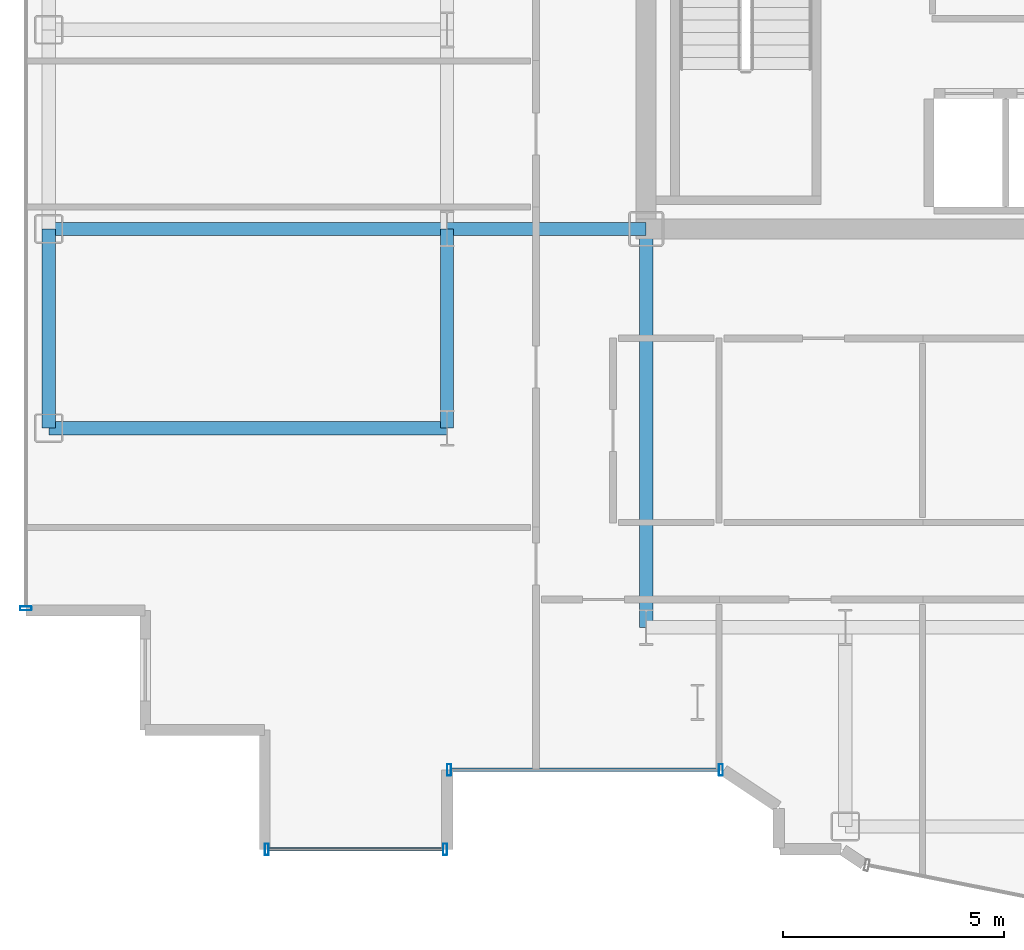
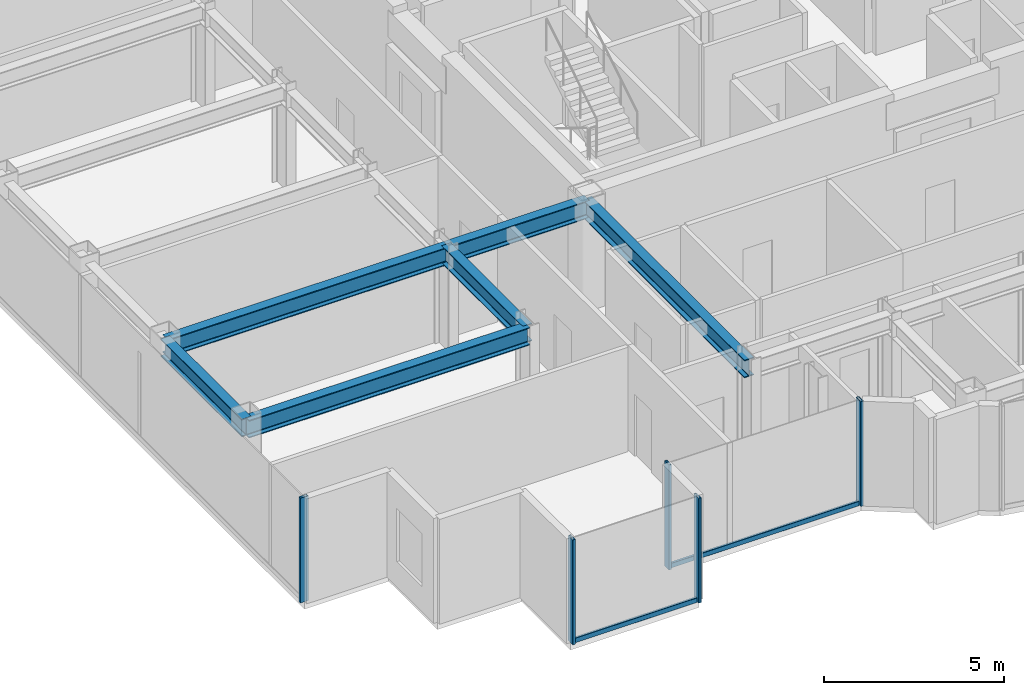
# One storey, part 2 of 20: 7 members, 6 beams, 3 elements without a shape of their own.
"""IFC4 building model written with IfcOpenShell, lengths in metres."""

from ifc_helpers import new_model, si_unit, direction, frame, origin, origin_2d, place, context, subcontext, project, spatial, hollow_rectangle, i_section, extrude, source, transform, mapped, material, layer, layer_set, material_profile, profile_set, type_object, element, aggregate, save


model = new_model("IFC4")

# Units and contexts
model_context = context("Model", 3, precision=1e-05, world=origin(), true_north=direction((0.0, 1.0)))
body_context = subcontext(model_context, "Body", "Model", "MODEL_VIEW")
ifc_project = project(units=[si_unit("LENGTHUNIT", "METRE"), si_unit("AREAUNIT", "SQUARE_METRE"), si_unit("VOLUMEUNIT", "CUBIC_METRE"), si_unit("PLANEANGLEUNIT", "RADIAN"), si_unit("MASSUNIT", "GRAM", prefix="KILO")], contexts=[model_context])

# Site, building, storey
site_placement = place(None, origin())
site = spatial("IfcSite", under=ifc_project, at=site_placement, CompositionType="ELEMENT")
building_placement = place(site_placement, origin())
building = spatial("IfcBuilding", under=site, at=building_placement, Name="Nefas-Gora Pilgrimage Tower", CompositionType="ELEMENT")
storey_placement = place(building_placement, frame((0.0, 0.0, 237.0)))
storey = spatial("IfcBuildingStorey", under=building, at=storey_placement, Name="L59", CompositionType="ELEMENT", Elevation=237.0)

# Beams
ifc_material_1 = material(Name="Steel S355", Category="steel")
ifc_material_profile_1 = material_profile(ifc_material_1, i_section(OverallWidth=0.300048828125, OverallDepth=0.60009765625, WebThickness=0.015380859375, FlangeThickness=0.030029296875, FilletRadius=0.027099609375, at=origin_2d()), Name="HEB 600")
ifc_profile_set_1 = profile_set([ifc_material_profile_1], Name="Steel S355")
beam_type_1 = type_object("IfcBeamType", Name="BM-SPN-HEB450", PredefinedType="SPANDREL", material=ifc_profile_set_1)
shared_shape_1 = source(origin(), body_context, "Body", "SweptSolid", [
    extrude(i_section(OverallWidth=0.300048828125, OverallDepth=0.60009765625, WebThickness=0.015380859375, FlangeThickness=0.030029296875, FilletRadius=0.027099609375, at=origin_2d()), origin(), (0.0, 0.0, 1.0), 4.5),
])
beam_placement = place(storey_placement, frame((-24.75, -13.5, 3.25), z_axis=(0.0, 1.0, 0.0), x_axis=(-1.0, 0.0, 0.0)))
element("IfcBeam", 1, at=beam_placement, inside=storey, type_object=beam_type_1, Name="L59 SP-03 beam", PredefinedType="SPANDREL", context=body_context, shape_type="MappedRepresentation", body=[
    mapped(shared_shape_1, transform((0.0, 0.0, 0.0), x_axis=(1.0, 0.0, 0.0), y_axis=(0.0, 1.0, 0.0), z_axis=(0.0, 0.0, 1.0), scale=1.0)),
])
ifc_material_profile_2 = material_profile(ifc_material_1, i_section(OverallWidth=0.300048828125, OverallDepth=0.60009765625, WebThickness=0.015380859375, FlangeThickness=0.030029296875, FilletRadius=0.027099609375, at=origin_2d()), Name="HEB 600")
ifc_profile_set_2 = profile_set([ifc_material_profile_2], Name="Steel S355")
beam_type_2 = type_object("IfcBeamType", Name="BM-GIR-HEB600", PredefinedType="BEAM", material=ifc_profile_set_2)
shared_shape_2 = source(origin(), body_context, "Body", "SweptSolid", [
    extrude(i_section(OverallWidth=0.300048828125, OverallDepth=0.60009765625, WebThickness=0.015380859375, FlangeThickness=0.030029296875, FilletRadius=0.027099609375, at=origin_2d()), origin(), (0.0, 0.0, 1.0), 9.0),
])
for number, where, z_axis, x_axis, name in (
    (2, (-24.75, -13.5, 3.25), (1.0, 0.0, 0.0), (0.0, 1.0, 0.0), "L59 G-04 beam"),
    (3, (-24.75, -9.0, 3.25), (1.0, 0.0, 0.0), (0.0, 1.0, 0.0), "L59 G-04 beam"),
    (4, (-11.25, -18.0, 3.25), (0.0, 1.0, 0.0), (-1.0, 0.0, 0.0), "L59 G-04 beam"),
):
    element("IfcBeam", number, at=place(storey_placement, frame(where, z_axis=z_axis, x_axis=x_axis)), inside=storey, type_object=beam_type_2, Name=name, PredefinedType="BEAM", context=body_context, shape_type="MappedRepresentation", body=[
        mapped(shared_shape_2, transform((0.0, 0.0, 0.0), x_axis=(1.0, 0.0, 0.0), y_axis=(0.0, 1.0, 0.0), z_axis=(0.0, 0.0, 1.0), scale=1.0)),
    ])
shared_shape_3 = source(origin(), body_context, "Body", "SweptSolid", [
    extrude(i_section(OverallWidth=0.300048828125, OverallDepth=0.60009765625, WebThickness=0.015380859375, FlangeThickness=0.030029296875, FilletRadius=0.027099609375, at=origin_2d()), origin(), (0.0, 0.0, 1.0), 4.5),
])
for number, where, z_axis, x_axis, name in (
    (5, (-15.75, -13.5, 3.25), (0.0, 1.0, 0.0), (-1.0, 0.0, 0.0), "L59 G-04 beam"),
    (6, (-15.75, -9.0, 3.25), (1.0, 0.0, 0.0), (0.0, 1.0, 0.0), "L59 G-04 beam"),
):
    element("IfcBeam", number, at=place(storey_placement, frame(where, z_axis=z_axis, x_axis=x_axis)), inside=storey, type_object=beam_type_2, Name=name, PredefinedType="BEAM", context=body_context, shape_type="MappedRepresentation", body=[
        mapped(shared_shape_3, transform((0.0, 0.0, 0.0), x_axis=(1.0, 0.0, 0.0), y_axis=(0.0, 1.0, 0.0), z_axis=(0.0, 0.0, 1.0), scale=1.0)),
    ])

# Curtain wall, members
ifc_material_2 = material(Name="Dark ceramic-fritted solar-control aluminium-glass curtain wall", Category="aluminium")
ifc_layer_1 = layer(ifc_material_2, 0.219970703125)
ifc_layer_set_1 = layer_set([ifc_layer_1], Name="Dark ceramic-fritted solar-control aluminium-glass curtain wall")
curtain_wall_type_1 = type_object("IfcCurtainWallType", Name="CW-SYS-5", PredefinedType="NOTDEFINED", material=ifc_layer_set_1)
curtain_wall_1_placement = place(storey_placement, origin())
curtain_wall_1 = element("IfcCurtainWall", 7, at=curtain_wall_1_placement, inside=storey, type_object=curtain_wall_type_1, Name="L59 Unitised Curtain Wall CW5", PredefinedType="NOTDEFINED")
ifc_material_3 = material(Name="Anodised architectural aluminium", Category="aluminium")
ifc_material_profile_3 = material_profile(ifc_material_3, hollow_rectangle(XDim=0.090087890625, YDim=0.260009765625, WallThickness=0.006103515625, InnerFilletRadius=0.006103515625, OuterFilletRadius=0.011962890625, at=origin_2d()), Name="ALU MULLION 90x260")
ifc_profile_set_3 = profile_set([ifc_material_profile_3], Name="Anodised architectural aluminium")
member_type_1 = type_object("IfcMemberType", Name="CWM-MUL-5", PredefinedType="MULLION", material=ifc_profile_set_3)
shared_shape_4 = source(origin(), body_context, "Body", "SweptSolid", [
    extrude(hollow_rectangle(XDim=0.090087890625, YDim=0.260009765625, WallThickness=0.006103515625, InnerFilletRadius=0.006103515625, OuterFilletRadius=0.011962890625, at=origin_2d()), origin(), (0.0, 0.0, 1.0), 3.550048828125),
])
member_1_placement = place(storey_placement, frame((-15.705078125, -21.219970703125, 0.0), z_axis=(0.0, 0.0, 1.0), x_axis=(1.0, 0.0, 0.0)))
member_1 = element("IfcMember", 8, at=member_1_placement, type_object=member_type_1, Name="CW5 Mullion 1", PredefinedType="MULLION", context=body_context, shape_type="MappedRepresentation", body=[
    mapped(shared_shape_4, transform((0.0, 0.0, 0.0), x_axis=(1.0, 0.0, 0.0), y_axis=(0.0, 1.0, 0.0), z_axis=(0.0, 0.0, 1.0), scale=1.0)),
])
member_2_placement = place(storey_placement, frame((-9.56298828125, -21.219970703125, 0.0), z_axis=(0.0, 0.0, 1.0), x_axis=(1.0, 0.0, 0.0)))
member_2 = element("IfcMember", 9, at=member_2_placement, type_object=member_type_1, Name="CW5 Mullion 2", PredefinedType="MULLION", context=body_context, shape_type="MappedRepresentation", body=[
    mapped(shared_shape_4, transform((0.0, 0.0, 0.0), x_axis=(1.0, 0.0, 0.0), y_axis=(0.0, 1.0, 0.0), z_axis=(0.0, 0.0, 1.0), scale=1.0)),
])
ifc_material_profile_4 = material_profile(ifc_material_3, hollow_rectangle(XDim=0.080078125, YDim=0.159912109375, WallThickness=0.00439453125, InnerFilletRadius=0.00439453125, OuterFilletRadius=0.009033203125, at=origin_2d()), Name="ALU TRANSOM 80x160")
ifc_profile_set_4 = profile_set([ifc_material_profile_4], Name="Anodised architectural aluminium")
member_type_2 = type_object("IfcMemberType", Name="CWM-TRN-5", PredefinedType="USERDEFINED", material=ifc_profile_set_4)
shared_shape_5 = source(origin(), body_context, "Body", "SweptSolid", [
    extrude(hollow_rectangle(XDim=0.080078125, YDim=0.159912109375, WallThickness=0.00439453125, InnerFilletRadius=0.00439453125, OuterFilletRadius=0.009033203125, at=origin_2d()), origin(), (0.0, 0.0, 1.0), 6.052001953125),
])
member_3_placement = place(storey_placement, frame((-15.659912109375, -21.219970703125, 0.050048828125), z_axis=(1.0, 0.0, 0.0), x_axis=(0.0, 1.0, 0.0)))
member_3 = element("IfcMember", 10, at=member_3_placement, type_object=member_type_2, Name="CW5 Spandrel Transom", ObjectType="TRANSOM", PredefinedType="USERDEFINED", context=body_context, shape_type="MappedRepresentation", body=[
    mapped(shared_shape_5, transform((0.0, 0.0, 0.0), x_axis=(1.0, 0.0, 0.0), y_axis=(0.0, 1.0, 0.0), z_axis=(0.0, 0.0, 1.0), scale=1.0)),
])
aggregate(curtain_wall_1, [member_1, member_2, member_3])

# Curtain wall, member
ifc_layer_2 = layer(ifc_material_2, 0.219970703125)
ifc_layer_set_2 = layer_set([ifc_layer_2], Name="Dark ceramic-fritted solar-control aluminium-glass curtain wall")
curtain_wall_type_2 = type_object("IfcCurtainWallType", Name="CW-SYS-3", PredefinedType="NOTDEFINED", material=ifc_layer_set_2)
curtain_wall_2_placement = place(storey_placement, origin())
curtain_wall_2 = element("IfcCurtainWall", 11, at=curtain_wall_2_placement, inside=storey, type_object=curtain_wall_type_2, Name="L59 Unitised Curtain Wall CW3", PredefinedType="NOTDEFINED")
ifc_material_profile_5 = material_profile(ifc_material_3, hollow_rectangle(XDim=0.090087890625, YDim=0.260009765625, WallThickness=0.006103515625, InnerFilletRadius=0.006103515625, OuterFilletRadius=0.011962890625, at=origin_2d()), Name="ALU MULLION 90x260")
ifc_profile_set_5 = profile_set([ifc_material_profile_5], Name="Anodised architectural aluminium")
member_type_3 = type_object("IfcMemberType", Name="CWM-MUL-3", PredefinedType="MULLION", material=ifc_profile_set_5)
shared_shape_6 = source(origin(), body_context, "Body", "SweptSolid", [
    extrude(hollow_rectangle(XDim=0.090087890625, YDim=0.260009765625, WallThickness=0.006103515625, InnerFilletRadius=0.006103515625, OuterFilletRadius=0.011962890625, at=origin_2d()), origin(), (0.0, 0.0, 1.0), 3.550048828125),
])
member_4_placement = place(storey_placement, frame((-25.27001953125, -17.574951171875, 0.0), z_axis=(0.0, 0.0, 1.0), x_axis=(0.0, -1.0, 0.0)))
member_4 = element("IfcMember", 12, at=member_4_placement, type_object=member_type_3, Name="CW3 Mullion 2", PredefinedType="MULLION", context=body_context, shape_type="MappedRepresentation", body=[
    mapped(shared_shape_6, transform((0.0, 0.0, 0.0), x_axis=(1.0, 0.0, 0.0), y_axis=(0.0, 1.0, 0.0), z_axis=(0.0, 0.0, 1.0), scale=1.0)),
])
aggregate(curtain_wall_2, [member_4])

# Curtain wall, members
curtain_wall_3_placement = place(storey_placement, origin())
curtain_wall_3 = element("IfcCurtainWall", 13, at=curtain_wall_3_placement, inside=storey, type_object=curtain_wall_type_2, Name="L59 Unitised Curtain Wall CW3", PredefinedType="NOTDEFINED")
member_5_placement = place(storey_placement, frame((-19.824951171875, -23.02001953125, 0.0), z_axis=(0.0, 0.0, 1.0), x_axis=(1.0, 0.0, 0.0)))
member_5 = element("IfcMember", 14, at=member_5_placement, type_object=member_type_3, Name="CW3 Mullion 1", PredefinedType="MULLION", context=body_context, shape_type="MappedRepresentation", body=[
    mapped(shared_shape_6, transform((0.0, 0.0, 0.0), x_axis=(1.0, 0.0, 0.0), y_axis=(0.0, 1.0, 0.0), z_axis=(0.0, 0.0, 1.0), scale=1.0)),
])
member_6_placement = place(storey_placement, frame((-15.794921875, -23.02001953125, 0.0), z_axis=(0.0, 0.0, 1.0), x_axis=(1.0, 0.0, 0.0)))
member_6 = element("IfcMember", 15, at=member_6_placement, type_object=member_type_3, Name="CW3 Mullion 2", PredefinedType="MULLION", context=body_context, shape_type="MappedRepresentation", body=[
    mapped(shared_shape_6, transform((0.0, 0.0, 0.0), x_axis=(1.0, 0.0, 0.0), y_axis=(0.0, 1.0, 0.0), z_axis=(0.0, 0.0, 1.0), scale=1.0)),
])
ifc_material_profile_6 = material_profile(ifc_material_3, hollow_rectangle(XDim=0.080078125, YDim=0.159912109375, WallThickness=0.00439453125, InnerFilletRadius=0.00439453125, OuterFilletRadius=0.009033203125, at=origin_2d()), Name="ALU TRANSOM 80x160")
ifc_profile_set_6 = profile_set([ifc_material_profile_6], Name="Anodised architectural aluminium")
member_type_4 = type_object("IfcMemberType", Name="CWM-TRN-3", PredefinedType="USERDEFINED", material=ifc_profile_set_6)
shared_shape_7 = source(origin(), body_context, "Body", "SweptSolid", [
    extrude(hollow_rectangle(XDim=0.080078125, YDim=0.159912109375, WallThickness=0.00439453125, InnerFilletRadius=0.00439453125, OuterFilletRadius=0.009033203125, at=origin_2d()), origin(), (0.0, 0.0, 1.0), 3.93994140625),
])
member_7_placement = place(storey_placement, frame((-19.780029296875, -23.02001953125, 0.050048828125), z_axis=(1.0, 0.0, 0.0), x_axis=(0.0, 1.0, 0.0)))
member_7 = element("IfcMember", 16, at=member_7_placement, type_object=member_type_4, Name="CW3 Spandrel Transom", ObjectType="TRANSOM", PredefinedType="USERDEFINED", context=body_context, shape_type="MappedRepresentation", body=[
    mapped(shared_shape_7, transform((0.0, 0.0, 0.0), x_axis=(1.0, 0.0, 0.0), y_axis=(0.0, 1.0, 0.0), z_axis=(0.0, 0.0, 1.0), scale=1.0)),
])
aggregate(curtain_wall_3, [member_5, member_6, member_7])

save(model, "model.ifc")
